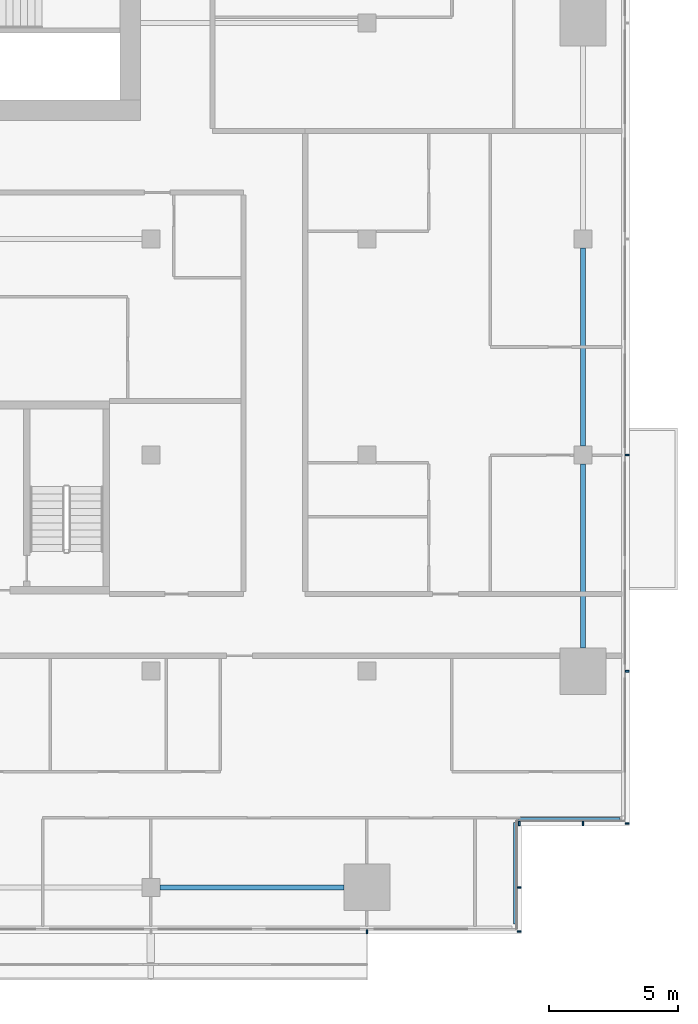
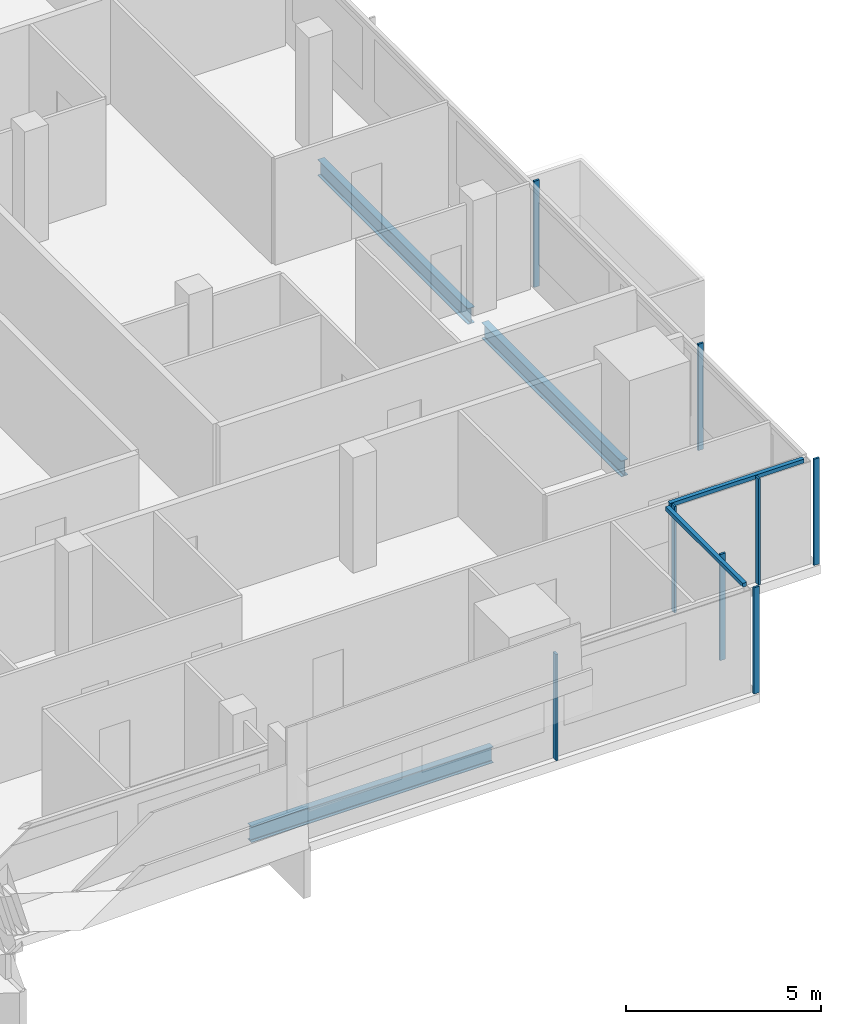
# One storey, part 11 of 28: 10 members, 3 beams, 4 elements without a shape of their own.
"""IFC4 building model written with IfcOpenShell, lengths in metres."""

from ifc_helpers import new_model, si_unit, direction, frame, origin, origin_2d, place, context, subcontext, project, spatial, rectangle, i_section, extrude, material, material_profile, profile_set, type_object, element, aggregate, save


model = new_model("IFC4")

# Units and contexts
model_context = context("Model", 3, precision=1e-05, world=origin(), true_north=direction((0.0, 1.0)))
body_context = subcontext(model_context, "Body", "Model", "MODEL_VIEW")
ifc_project = project(units=[si_unit("LENGTHUNIT", "METRE"), si_unit("AREAUNIT", "SQUARE_METRE"), si_unit("VOLUMEUNIT", "CUBIC_METRE"), si_unit("PLANEANGLEUNIT", "RADIAN"), si_unit("MASSUNIT", "GRAM", prefix="KILO")], contexts=[model_context])

# Site, building, storey
site_placement = place(None, origin())
site = spatial("IfcSite", under=ifc_project, at=site_placement, CompositionType="ELEMENT")
building_placement = place(site_placement, origin())
building = spatial("IfcBuilding", under=site, at=building_placement, Name="Saffron Gate Tower", CompositionType="ELEMENT")
storey_placement = place(building_placement, frame((0.0, 0.0, 176.25)))
storey = spatial("IfcBuildingStorey", under=building, at=storey_placement, Name="L43", CompositionType="ELEMENT", Elevation=176.25)

# Beams
ifc_material_1 = material(Name="Structural steel S355", Category="steel")
ifc_material_profile_1 = material_profile(ifc_material_1, i_section(OverallWidth=0.199951171875, OverallDepth=0.5, WebThickness=0.01025390625, FlangeThickness=0.01611328125, FilletRadius=0.02099609375, at=origin_2d()))
ifc_profile_set_1 = profile_set([ifc_material_profile_1], Name="Structural steel S355")
beam_type = type_object("IfcBeamType", Name="B11 IPE 500", PredefinedType="SPANDREL", material=ifc_profile_set_1)
beam_1_placement = place(storey_placement, frame((108.949951171875, 31.800048828125, -0.530029296875), z_axis=(1.0, 0.0, 0.0), x_axis=(0.0, 1.0, 0.0)))
element("IfcBeam", 1, at=beam_1_placement, inside=storey, type_object=beam_type, Name="B11 SPANDREL BEAM", PredefinedType="SPANDREL", context=body_context, shape_type="SweptSolid", body=[
    extrude(i_section(OverallWidth=0.199951171875, OverallDepth=0.5, WebThickness=0.01025390625, FlangeThickness=0.01611328125, FilletRadius=0.02099609375, at=origin_2d()), origin(), (0.0, 0.0, 1.0), 7.150146484375),
])
beam_2_placement = place(storey_placement, frame((125.39990234375, 41.10009765625, -0.530029296875), z_axis=(0.0, 1.0, 0.0), x_axis=(-1.0, 0.0, 0.0)))
element("IfcBeam", 2, at=beam_2_placement, inside=storey, type_object=beam_type, Name="B11 SPANDREL BEAM", PredefinedType="SPANDREL", context=body_context, shape_type="SweptSolid", body=[
    extrude(i_section(OverallWidth=0.199951171875, OverallDepth=0.5, WebThickness=0.01025390625, FlangeThickness=0.01611328125, FilletRadius=0.02099609375, at=origin_2d()), origin(), (0.0, 0.0, 1.0), 7.14990234375),
])
beam_3_placement = place(storey_placement, frame((125.39990234375, 48.949951171875, -0.530029296875), z_axis=(0.0, 1.0, 0.0), x_axis=(-1.0, 0.0, 0.0)))
element("IfcBeam", 3, at=beam_3_placement, inside=storey, type_object=beam_type, Name="B11 SPANDREL BEAM", PredefinedType="SPANDREL", context=body_context, shape_type="SweptSolid", body=[
    extrude(i_section(OverallWidth=0.199951171875, OverallDepth=0.5, WebThickness=0.01025390625, FlangeThickness=0.01611328125, FilletRadius=0.02099609375, at=origin_2d()), origin(), (0.0, 0.0, 1.0), 7.699951171875),
])

# Curtain wall, member
ifc_material_2 = material(Name="Aluminium, bronze anodised", Category="aluminium")
curtain_wall_type_1 = type_object("IfcCurtainWallType", Name="CWS1 curtain wall front facade", PredefinedType="NOTDEFINED", material=ifc_material_2)
curtain_wall_1_placement = place(storey_placement, origin())
curtain_wall_1 = element("IfcCurtainWall", 4, at=curtain_wall_1_placement, inside=storey, type_object=curtain_wall_type_1, Name="CWS1 run 1", PredefinedType="NOTDEFINED")
ifc_material_profile_2 = material_profile(ifc_material_2, rectangle(XDim=0.159912109375, YDim=0.06005859375, at=origin_2d()))
ifc_profile_set_2 = profile_set([ifc_material_profile_2], Name="Aluminium, bronze anodised")
member_type_1 = type_object("IfcMemberType", Name="CWS1 mullion 60x160", PredefinedType="MULLION", material=ifc_profile_set_2)
member_1_placement = place(storey_placement, frame((117.0, 30.080078125, 0.0), z_axis=(0.0, 0.0, 1.0), x_axis=(0.0, 1.0, 0.0)))
member_1 = element("IfcMember", 5, at=member_1_placement, type_object=member_type_1, Name="CWS1 mullion 9", PredefinedType="MULLION", context=body_context, shape_type="SweptSolid", body=[
    extrude(rectangle(XDim=0.159912109375, YDim=0.06005859375, at=origin_2d()), origin(), (0.0, 0.0, 1.0), 3.320068359375),
])
aggregate(curtain_wall_1, [member_1])

# Curtain wall, members
curtain_wall_type_2 = type_object("IfcCurtainWallType", Name="CWS2 curtain wall side facades", PredefinedType="NOTDEFINED", material=ifc_material_2)
curtain_wall_2_placement = place(storey_placement, origin())
curtain_wall_2 = element("IfcCurtainWall", 6, at=curtain_wall_2_placement, inside=storey, type_object=curtain_wall_type_2, Name="CWS2 run 4", PredefinedType="NOTDEFINED")
ifc_material_profile_3 = material_profile(ifc_material_2, rectangle(XDim=0.159912109375, YDim=0.06005859375, at=origin_2d()))
ifc_profile_set_3 = profile_set([ifc_material_profile_3], Name="Aluminium, bronze anodised")
member_type_2 = type_object("IfcMemberType", Name="CWS2 mullion 60x160", PredefinedType="MULLION", material=ifc_profile_set_3)
member_2_placement = place(storey_placement, frame((127.1201171875, 34.280029296875, 0.0), z_axis=(0.0, 0.0, 1.0), x_axis=(-1.0, 0.0, 0.0)))
member_2 = element("IfcMember", 7, at=member_2_placement, type_object=member_type_2, Name="CWS2 mullion 1", PredefinedType="MULLION", context=body_context, shape_type="SweptSolid", body=[
    extrude(rectangle(XDim=0.159912109375, YDim=0.06005859375, at=origin_2d()), origin(), (0.0, 0.0, 1.0), 3.320068359375),
])
member_3_placement = place(storey_placement, frame((127.1201171875, 40.199951171875, 0.0), z_axis=(0.0, 0.0, 1.0), x_axis=(-1.0, 0.0, 0.0)))
member_3 = element("IfcMember", 8, at=member_3_placement, type_object=member_type_2, Name="CWS2 mullion 2", PredefinedType="MULLION", context=body_context, shape_type="SweptSolid", body=[
    extrude(rectangle(XDim=0.159912109375, YDim=0.06005859375, at=origin_2d()), origin(), (0.0, 0.0, 1.0), 3.320068359375),
])
member_4_placement = place(storey_placement, frame((127.1201171875, 48.60009765625, 0.0), z_axis=(0.0, 0.0, 1.0), x_axis=(-1.0, 0.0, 0.0)))
member_4 = element("IfcMember", 9, at=member_4_placement, type_object=member_type_2, Name="CWS2 mullion 3", PredefinedType="MULLION", context=body_context, shape_type="SweptSolid", body=[
    extrude(rectangle(XDim=0.159912109375, YDim=0.06005859375, at=origin_2d()), origin(), (0.0, 0.0, 1.0), 3.320068359375),
])
aggregate(curtain_wall_2, [member_2, member_3, member_4])

# Curtain wall, member
curtain_wall_type_3 = type_object("IfcCurtainWallType", Name="CWS4 curtain wall corner returns", PredefinedType="NOTDEFINED", material=ifc_material_2)
curtain_wall_3_placement = place(storey_placement, origin())
curtain_wall_3 = element("IfcCurtainWall", 10, at=curtain_wall_3_placement, inside=storey, type_object=curtain_wall_type_3, Name="CWS4 run 2", PredefinedType="NOTDEFINED")
ifc_material_profile_4 = material_profile(ifc_material_2, rectangle(XDim=0.1201171875, YDim=0.1201171875, at=origin_2d()))
ifc_profile_set_4 = profile_set([ifc_material_profile_4], Name="Aluminium, bronze anodised")
member_type_3 = type_object("IfcMemberType", Name="CWS4 head transom", PredefinedType="USERDEFINED", material=ifc_profile_set_4)
member_5_placement = place(storey_placement, frame((122.751953125, 30.367919921875, 3.260009765625), z_axis=(0.0, 1.0, 0.0), x_axis=(-1.0, 0.0, 0.0)))
member_5 = element("IfcMember", 11, at=member_5_placement, type_object=member_type_3, Name="CWS4 head transom", ObjectType="TRANSOM", PredefinedType="USERDEFINED", context=body_context, shape_type="SweptSolid", body=[
    extrude(rectangle(XDim=0.1201171875, YDim=0.1201171875, at=origin_2d()), origin(), (0.0, 0.0, 1.0), 3.9599609375),
])

curtain_wall_4_placement = place(storey_placement, origin())
curtain_wall_4 = element("IfcCurtainWall", 12, at=curtain_wall_4_placement, inside=storey, type_object=curtain_wall_type_3, Name="CWS4 run 3", PredefinedType="NOTDEFINED")
member_6_placement = place(storey_placement, frame((122.8720703125, 34.447998046875, 3.260009765625), z_axis=(1.0, 0.0, 0.0), x_axis=(0.0, 1.0, 0.0)))
member_6 = element("IfcMember", 13, at=member_6_placement, type_object=member_type_3, Name="CWS4 head transom", ObjectType="TRANSOM", PredefinedType="USERDEFINED", context=body_context, shape_type="SweptSolid", body=[
    extrude(rectangle(XDim=0.1201171875, YDim=0.1201171875, at=origin_2d()), origin(), (0.0, 0.0, 1.0), 3.9599609375),
])

# Member
ifc_material_profile_5 = material_profile(ifc_material_2, rectangle(XDim=0.159912109375, YDim=0.06005859375, at=origin_2d()))
ifc_profile_set_5 = profile_set([ifc_material_profile_5], Name="Aluminium, bronze anodised")
member_type_4 = type_object("IfcMemberType", Name="CWS4 mullion 60x160", PredefinedType="MULLION", material=ifc_profile_set_5)
member_7_placement = place(storey_placement, frame((122.919921875, 30.080078125, 0.0), z_axis=(0.0, 0.0, 1.0), x_axis=(-1.0, 0.0, 0.0)))
member_7 = element("IfcMember", 14, at=member_7_placement, type_object=member_type_4, Name="CWS4 mullion 1", PredefinedType="MULLION", context=body_context, shape_type="SweptSolid", body=[
    extrude(rectangle(XDim=0.159912109375, YDim=0.06005859375, at=origin_2d()), origin(), (0.0, 0.0, 1.0), 3.320068359375),
])

member_8_placement = place(storey_placement, frame((122.919921875, 31.800048828125, 0.0), z_axis=(0.0, 0.0, 1.0), x_axis=(-1.0, 0.0, 0.0)))
member_8 = element("IfcMember", 15, at=member_8_placement, type_object=member_type_4, Name="CWS4 mullion 2", PredefinedType="MULLION", context=body_context, shape_type="SweptSolid", body=[
    extrude(rectangle(XDim=0.159912109375, YDim=0.06005859375, at=origin_2d()), origin(), (0.0, 0.0, 1.0), 3.320068359375),
])

aggregate(curtain_wall_3, [member_7, member_8, member_5])

member_9_placement = place(storey_placement, frame((122.919921875, 34.280029296875, 0.0), z_axis=(0.0, 0.0, 1.0), x_axis=(0.0, 1.0, 0.0)))
member_9 = element("IfcMember", 16, at=member_9_placement, type_object=member_type_4, Name="CWS4 mullion 1", PredefinedType="MULLION", context=body_context, shape_type="SweptSolid", body=[
    extrude(rectangle(XDim=0.159912109375, YDim=0.06005859375, at=origin_2d()), origin(), (0.0, 0.0, 1.0), 3.320068359375),
])

member_10_placement = place(storey_placement, frame((125.39990234375, 34.280029296875, 0.0), z_axis=(0.0, 0.0, 1.0), x_axis=(0.0, 1.0, 0.0)))
member_10 = element("IfcMember", 17, at=member_10_placement, type_object=member_type_4, Name="CWS4 mullion 2", PredefinedType="MULLION", context=body_context, shape_type="SweptSolid", body=[
    extrude(rectangle(XDim=0.159912109375, YDim=0.06005859375, at=origin_2d()), origin(), (0.0, 0.0, 1.0), 3.320068359375),
])

aggregate(curtain_wall_4, [member_9, member_10, member_6])

save(model, "model.ifc")
